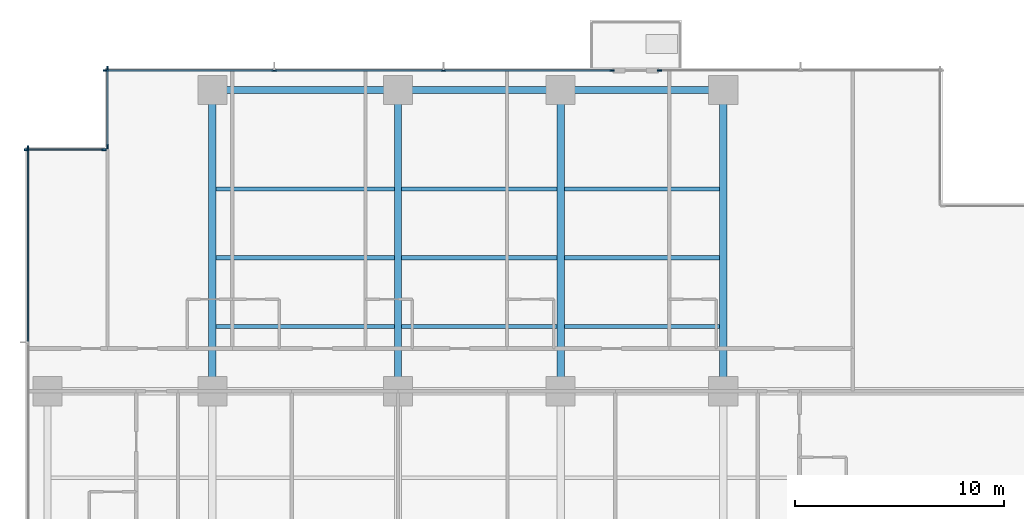
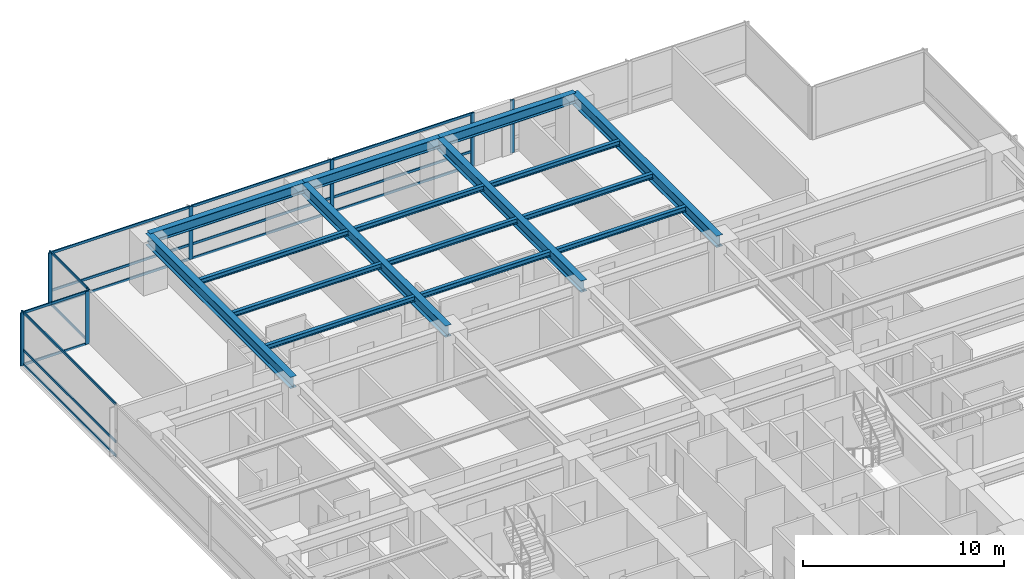
# One storey, part 4 of 17: 26 members, 16 beams, 5 elements without a shape of their own.
"""IFC4 building model written with IfcOpenShell, lengths in metres."""

import ifcopenshell
import ifcopenshell.guid

model = None  # the IFC model being written
_history = None  # IfcOwnerHistory: only IFC2X3 demands one
_inside = {}  # id of a spatial element -> (the spatial element, [elements in it])
_under = {}  # id of a project, library or spatial element -> (it, [spatial elements below it])
_declared = {}  # id of a project -> (the project, [libraries it declares])
_typed = {}  # id of a type object -> (the type object, [elements of that type])
_made_of = {}  # id of a material, layer set ... -> (it, [elements and type objects made of it])


def new_model(schema):
    """Start an empty IFC model of exactly this schema.

    Asked for "IFC4X3", IfcOpenShell would pick the latest addendum, in which some entities
    have other attributes; the version numbers below select the first issue.
    IFC2X3 requires an IfcOwnerHistory on every rooted entity: one is made here for all.
    """
    global model, _history
    if schema == "IFC4X3":
        model = ifcopenshell.file(schema_version=(4, 3, 0, 0))
    else:
        model = ifcopenshell.file(schema=schema)
    _inside.clear()
    _under.clear()
    _declared.clear()
    _typed.clear()
    _made_of.clear()
    _history = None
    if model.schema == "IFC2X3":
        org = make("IfcOrganization", Name="unknown")
        user = make(
            "IfcPersonAndOrganization",
            ThePerson=make("IfcPerson", FamilyName="unknown"),
            TheOrganization=org,
        )
        app = make(
            "IfcApplication",
            ApplicationDeveloper=org,
            Version="unknown",
            ApplicationFullName="unknown",
            ApplicationIdentifier="unknown",
        )
        _history = make(
            "IfcOwnerHistory",
            OwningUser=user,
            OwningApplication=app,
            ChangeAction="ADDED",
            CreationDate=0,
        )
    return model


def make(cls, **values):
    """One entity of the class cls with the attributes given. An attribute that is None is left unset."""
    return model.create_entity(
        cls, **{name: value for name, value in values.items() if value is not None}
    )


def rooted(cls, **values):
    """An entity with a GlobalId (a new one), such as an element, a storey or a relation."""
    return make(cls, GlobalId=ifcopenshell.guid.new(), OwnerHistory=_history, **values)


def si_unit(unit_type, name, prefix=None):
    """IfcSIUnit, for example si_unit("LENGTHUNIT", "METRE", prefix="MILLI")."""
    return make("IfcSIUnit", UnitType=unit_type, Prefix=prefix, Name=name)


def assignment(units):
    """IfcUnitAssignment: the units of a project."""
    return None if units is None else make("IfcUnitAssignment", Units=units)


def point(xyz):
    """IfcCartesianPoint."""
    return None if xyz is None else make("IfcCartesianPoint", Coordinates=xyz)


def direction(xyz):
    """IfcDirection."""
    return None if xyz is None else make("IfcDirection", DirectionRatios=xyz)


def frame(location, z_axis=None, x_axis=None):
    """IfcAxis2Placement3D, a coordinate frame: its origin and axes. An axis left out is left unset."""
    return make(
        "IfcAxis2Placement3D",
        Location=point(location),
        Axis=direction(z_axis),
        RefDirection=direction(x_axis),
    )


def frame_2d(location, x_axis=None):
    """IfcAxis2Placement2D, a coordinate frame in the plane: its origin and x axis."""
    return make(
        "IfcAxis2Placement2D", Location=point(location), RefDirection=direction(x_axis)
    )


def origin():
    """The frame at (0, 0, 0) with its axes left unset."""
    return frame((0.0, 0.0, 0.0))


def origin_2d():
    """The frame at (0, 0) in the plane with its x axis left unset."""
    return frame_2d((0.0, 0.0))


def place(relative_to, where):
    """IfcLocalPlacement: puts the frame where relative to a parent placement (None: the world)."""
    return make(
        "IfcLocalPlacement", PlacementRelTo=relative_to, RelativePlacement=where
    )


def context(
    kind, dimensions, precision=None, world=None, true_north=None, identifier=None
):
    """IfcGeometricRepresentationContext, for example the 3D "Model" context."""
    return make(
        "IfcGeometricRepresentationContext",
        ContextIdentifier=identifier,
        ContextType=kind,
        CoordinateSpaceDimension=dimensions,
        Precision=precision,
        WorldCoordinateSystem=world,
        TrueNorth=true_north,
    )


def subcontext(parent, identifier, kind, view, scale=None):
    """IfcGeometricRepresentationSubContext, for example "Body" below "Model"."""
    return make(
        "IfcGeometricRepresentationSubContext",
        ContextIdentifier=identifier,
        ContextType=kind,
        ParentContext=parent,
        TargetScale=scale,
        TargetView=view,
    )


def project(units=None, contexts=None):
    """IfcProject with its units and contexts."""
    return rooted(
        "IfcProject",
        Name="project",
        RepresentationContexts=contexts,
        UnitsInContext=assignment(units),
    )


def spatial(cls, under=None, at=None, **own):
    """A site, building, storey or space (cls), placed at a placement, below another one or the project."""
    s = rooted(cls, ObjectPlacement=at, **own)
    if under is not None:
        _under.setdefault(under.id(), (under, []))[1].append(s)
    return s


def profile(cls, at=None, kind="AREA", **sizes):
    """A parametric profile (cls). Its sizes go by their IFC names, for example OverallWidth=200.0."""
    return make(cls, ProfileType=kind, Position=at, **sizes)


def rectangle(**sizes):
    """IfcRectangleProfileDef."""
    return profile("IfcRectangleProfileDef", **sizes)


def i_section(**sizes):
    """IfcIShapeProfileDef."""
    return profile("IfcIShapeProfileDef", **sizes)


def extrude(swept, where, along, depth):
    """IfcExtrudedAreaSolid: the profile swept, set in the frame where, extruded along a direction by depth."""
    return make(
        "IfcExtrudedAreaSolid",
        SweptArea=swept,
        Position=where,
        ExtrudedDirection=direction(along),
        Depth=depth,
    )


def shape(context_of_items, identifier, shape_type, items):
    """IfcShapeRepresentation: the items that make up one representation, for example the "Body"."""
    return make(
        "IfcShapeRepresentation",
        ContextOfItems=context_of_items,
        RepresentationIdentifier=identifier,
        RepresentationType=shape_type,
        Items=items,
    )


def material(Name=None, Category=None):
    """IfcMaterial."""
    return make("IfcMaterial", Name=Name, Category=Category)


def layer(
    of_material, thickness, ventilated=None, Name=None, Category=None, Priority=None
):
    """IfcMaterialLayer: one layer of a wall or slab, of a material (None: an air gap)."""
    return make(
        "IfcMaterialLayer",
        Material=of_material,
        LayerThickness=thickness,
        IsVentilated=ventilated,
        Name=Name,
        Category=Category,
        Priority=Priority,
    )


def layer_set(layers, Name=None):
    """IfcMaterialLayerSet."""
    return make("IfcMaterialLayerSet", MaterialLayers=layers, LayerSetName=Name)


def material_profile(
    of_material, cross_section, Name=None, Category=None, Priority=None
):
    """IfcMaterialProfile: a cross section and its material."""
    return make(
        "IfcMaterialProfile",
        Name=Name,
        Material=of_material,
        Profile=cross_section,
        Priority=Priority,
        Category=Category,
    )


def profile_set(profiles, Name=None, composite=None):
    """IfcMaterialProfileSet."""
    return make(
        "IfcMaterialProfileSet",
        Name=Name,
        MaterialProfiles=profiles,
        CompositeProfile=composite,
    )


def made_of(thing, what):
    """Note that an element or type object is made of a material, layer set ...; save() writes the relation."""
    if what is not None:
        _made_of.setdefault(what.id(), (what, []))[1].append(thing)
    return thing


def type_object(cls, material=None, **own):
    """A type object (cls), such as IfcWallType, which elements share."""
    return made_of(rooted(cls, **own), material)


def element(
    cls,
    number,
    at=None,
    inside=None,
    cuts=None,
    type_object=None,
    material=None,
    context=None,
    identifier="Body",
    shape_type=None,
    held_by="IfcProductDefinitionShape",
    body=None,
    shapes=None,
    **own,
):
    """One element of the class cls, such as IfcWall. Its Tag is "e" and its number.

    at: its placement. inside: the storey or other place that contains it. cuts: it is an
    opening in that element (IfcRelVoidsElement). A single representation is given by context,
    identifier, shape_type and body (its items); several are given by shapes. held_by: the class
    of the entity that holds the representations. save() writes the other relations.
    """
    e = rooted(cls, Tag="e%d" % number, ObjectPlacement=at, **own)
    if body is not None:
        shapes = [shape(context, identifier, shape_type, body)]
    if shapes is not None:
        e.Representation = make(held_by, Representations=shapes)
    if inside is not None:
        _inside.setdefault(inside.id(), (inside, []))[1].append(e)
    if cuts is not None:
        rooted(
            "IfcRelVoidsElement", RelatingBuildingElement=cuts, RelatedOpeningElement=e
        )
    if type_object is not None:
        _typed.setdefault(type_object.id(), (type_object, []))[1].append(e)
    return made_of(e, material)


def aggregate(whole, parts):
    """IfcRelAggregates: a whole, such as a stair, and the parts it consists of."""
    return rooted("IfcRelAggregates", RelatingObject=whole, RelatedObjects=parts)


def save(model, path):
    """Write the relations noted so far, then the file.

    IfcRelAggregates (storeys below a building ...), IfcRelContainedInSpatialStructure (elements
    in a storey), IfcRelDefinesByType, IfcRelAssociatesMaterial and IfcRelDeclares: one each for
    every whole, place, type object, material and project.
    """
    for whole, parts in _under.values():
        aggregate(whole, parts)
    for where, things in _inside.values():
        rooted(
            "IfcRelContainedInSpatialStructure",
            RelatedElements=things,
            RelatingStructure=where,
        )
    for kind, things in _typed.values():
        rooted("IfcRelDefinesByType", RelatedObjects=things, RelatingType=kind)
    for what, things in _made_of.values():
        rooted("IfcRelAssociatesMaterial", RelatedObjects=things, RelatingMaterial=what)
    for by, libraries in _declared.values():
        rooted("IfcRelDeclares", RelatingContext=by, RelatedDefinitions=libraries)
    model.write(path)


model = new_model("IFC4")

# Units and contexts
model_context = context("Model", 3, precision=1e-05, world=origin(), true_north=direction((0.0, 1.0)))
body_context = subcontext(model_context, "Body", "Model", "MODEL_VIEW")
ifc_project = project(units=[si_unit("LENGTHUNIT", "METRE"), si_unit("AREAUNIT", "SQUARE_METRE"), si_unit("VOLUMEUNIT", "CUBIC_METRE"), si_unit("PLANEANGLEUNIT", "RADIAN"), si_unit("MASSUNIT", "GRAM", prefix="KILO")], contexts=[model_context])

# Site, building, storey
site_placement = place(None, origin())
site = spatial("IfcSite", under=ifc_project, at=site_placement, CompositionType="ELEMENT")
building_placement = place(site_placement, origin())
building = spatial("IfcBuilding", under=site, at=building_placement, Name="Qalmaran Belvedere Hotel", CompositionType="ELEMENT")
storey_placement = place(building_placement, frame((0.0, 0.0, 40.39990234375)))
storey = spatial("IfcBuildingStorey", under=building, at=storey_placement, Name="L09", CompositionType="ELEMENT", Elevation=40.39990234375)

# Beams
ifc_material_1 = material(Name="Steel S355JR", Category="steel")
ifc_material_profile_1 = material_profile(ifc_material_1, i_section(OverallWidth=0.202880859375, OverallDepth=0.302978515625, WebThickness=0.007568359375, FlangeThickness=0.01318359375, FilletRadius=0.012939453125, at=origin_2d()), Name="W310X60")
ifc_profile_set_1 = profile_set([ifc_material_profile_1], Name="Steel S355JR")
beam_type_1 = type_object("IfcBeamType", Name="BM-JST-W310X60", PredefinedType="JOIST", material=ifc_profile_set_1)
beam_1_placement = place(storey_placement, frame((20.4755859375, 36.10009765625, 3.068603515625), z_axis=(1.0, 0.0, 0.0), x_axis=(0.0, 1.0, 0.0)))
element("IfcBeam", 1, at=beam_1_placement, inside=storey, type_object=beam_type_1, Name="L09 North Floor Joist 042", PredefinedType="JOIST", context=body_context, shape_type="SweptSolid", body=[
    extrude(i_section(OverallWidth=0.202880859375, OverallDepth=0.302978515625, WebThickness=0.007568359375, FlangeThickness=0.01318359375, FilletRadius=0.012939453125, at=origin_2d()), origin(), (0.0, 0.0, 1.0), 8.548828125),
])
for number, where, z_axis, x_axis, name in (
    (2, (29.37548828125, 36.10009765625, 3.068603515625), (1.0, 0.0, 0.0), (0.0, 1.0, 0.0), "L09 North Floor Joist 043"),
    (3, (37.175537109375, 36.10009765625, 3.068603515625), (1.0, 0.0, 0.0), (0.0, 1.0, 0.0), "L09 North Floor Joist 044"),
):
    element("IfcBeam", number, at=place(storey_placement, frame(where, z_axis=z_axis, x_axis=x_axis)), inside=storey, type_object=beam_type_1, Name=name, PredefinedType="JOIST", context=body_context, shape_type="SweptSolid", body=[
        extrude(i_section(OverallWidth=0.202880859375, OverallDepth=0.302978515625, WebThickness=0.007568359375, FlangeThickness=0.01318359375, FilletRadius=0.012939453125, at=origin_2d()), origin(), (0.0, 0.0, 1.0), 7.448974609375),
    ])
beam_2_placement = place(storey_placement, frame((20.4755859375, 39.39990234375, 3.068603515625), z_axis=(1.0, 0.0, 0.0), x_axis=(0.0, 1.0, 0.0)))
element("IfcBeam", 4, at=beam_2_placement, inside=storey, type_object=beam_type_1, Name="L09 North Floor Joist 045", PredefinedType="JOIST", context=body_context, shape_type="SweptSolid", body=[
    extrude(i_section(OverallWidth=0.202880859375, OverallDepth=0.302978515625, WebThickness=0.007568359375, FlangeThickness=0.01318359375, FilletRadius=0.012939453125, at=origin_2d()), origin(), (0.0, 0.0, 1.0), 8.548828125),
])
for number, where, z_axis, x_axis, name in (
    (5, (29.37548828125, 39.39990234375, 3.068603515625), (1.0, 0.0, 0.0), (0.0, 1.0, 0.0), "L09 North Floor Joist 046"),
    (6, (37.175537109375, 39.39990234375, 3.068603515625), (1.0, 0.0, 0.0), (0.0, 1.0, 0.0), "L09 North Floor Joist 047"),
):
    element("IfcBeam", number, at=place(storey_placement, frame(where, z_axis=z_axis, x_axis=x_axis)), inside=storey, type_object=beam_type_1, Name=name, PredefinedType="JOIST", context=body_context, shape_type="SweptSolid", body=[
        extrude(i_section(OverallWidth=0.202880859375, OverallDepth=0.302978515625, WebThickness=0.007568359375, FlangeThickness=0.01318359375, FilletRadius=0.012939453125, at=origin_2d()), origin(), (0.0, 0.0, 1.0), 7.448974609375),
    ])
beam_3_placement = place(storey_placement, frame((20.4755859375, 42.699951171875, 3.068603515625), z_axis=(1.0, 0.0, 0.0), x_axis=(0.0, 1.0, 0.0)))
element("IfcBeam", 7, at=beam_3_placement, inside=storey, type_object=beam_type_1, Name="L09 North Floor Joist 048", PredefinedType="JOIST", context=body_context, shape_type="SweptSolid", body=[
    extrude(i_section(OverallWidth=0.202880859375, OverallDepth=0.302978515625, WebThickness=0.007568359375, FlangeThickness=0.01318359375, FilletRadius=0.012939453125, at=origin_2d()), origin(), (0.0, 0.0, 1.0), 8.548828125),
])
for number, where, z_axis, x_axis, name in (
    (8, (29.37548828125, 42.699951171875, 3.068603515625), (1.0, 0.0, 0.0), (0.0, 1.0, 0.0), "L09 North Floor Joist 049"),
    (9, (37.175537109375, 42.699951171875, 3.068603515625), (1.0, 0.0, 0.0), (0.0, 1.0, 0.0), "L09 North Floor Joist 050"),
):
    element("IfcBeam", number, at=place(storey_placement, frame(where, z_axis=z_axis, x_axis=x_axis)), inside=storey, type_object=beam_type_1, Name=name, PredefinedType="JOIST", context=body_context, shape_type="SweptSolid", body=[
        extrude(i_section(OverallWidth=0.202880859375, OverallDepth=0.302978515625, WebThickness=0.007568359375, FlangeThickness=0.01318359375, FilletRadius=0.012939453125, at=origin_2d()), origin(), (0.0, 0.0, 1.0), 7.448974609375),
    ])
ifc_material_profile_2 = material_profile(ifc_material_1, i_section(OverallWidth=0.326904296875, OverallDepth=0.6220703125, WebThickness=0.015380859375, FlangeThickness=0.0244140625, FilletRadius=0.02001953125, at=origin_2d()), Name="W610X195")
ifc_profile_set_2 = profile_set([ifc_material_profile_2], Name="Steel S355JR")
beam_type_2 = type_object("IfcBeamType", Name="BM-SP1-W610X195", PredefinedType="SPANDREL", material=ifc_profile_set_2)
beam_4_placement = place(storey_placement, frame((20.300048828125, 47.449951171875, 2.9091796875), z_axis=(1.0, 0.0, 0.0), x_axis=(0.0, 1.0, 0.0)))
element("IfcBeam", 10, at=beam_4_placement, inside=storey, type_object=beam_type_2, Name="L09 Perimeter Spandrel 05", PredefinedType="SPANDREL", context=body_context, shape_type="SweptSolid", body=[
    extrude(i_section(OverallWidth=0.326904296875, OverallDepth=0.6220703125, WebThickness=0.015380859375, FlangeThickness=0.0244140625, FilletRadius=0.02001953125, at=origin_2d()), origin(), (0.0, 0.0, 1.0), 8.89990234375),
])
for number, where, z_axis, x_axis, name in (
    (11, (29.199951171875, 47.449951171875, 2.9091796875), (1.0, 0.0, 0.0), (0.0, 1.0, 0.0), "L09 Perimeter Spandrel 06"),
    (12, (37.0, 47.449951171875, 2.9091796875), (1.0, 0.0, 0.0), (0.0, 1.0, 0.0), "L09 Perimeter Spandrel 07"),
):
    element("IfcBeam", number, at=place(storey_placement, frame(where, z_axis=z_axis, x_axis=x_axis)), inside=storey, type_object=beam_type_2, Name=name, PredefinedType="SPANDREL", context=body_context, shape_type="SweptSolid", body=[
        extrude(i_section(OverallWidth=0.326904296875, OverallDepth=0.6220703125, WebThickness=0.015380859375, FlangeThickness=0.0244140625, FilletRadius=0.02001953125, at=origin_2d()), origin(), (0.0, 0.0, 1.0), 7.800048828125),
    ])
ifc_material_profile_3 = material_profile(ifc_material_1, i_section(OverallWidth=0.35498046875, OverallDepth=0.695068359375, WebThickness=0.015380859375, FlangeThickness=0.02490234375, FilletRadius=0.02197265625, at=origin_2d()), Name="W690X217")
ifc_profile_set_3 = profile_set([ifc_material_profile_3], Name="Steel S355JR")
beam_type_3 = type_object("IfcBeamType", Name="BM-Z1-W690X217", PredefinedType="USERDEFINED", material=ifc_profile_set_3)
for number, where, z_axis, x_axis, name in (
    (13, (20.300048828125, 33.0, 2.87255859375), (0.0, 1.0, 0.0), (-1.0, 0.0, 0.0), "L09 North Bay Girder 15"),
    (14, (29.199951171875, 33.0, 2.87255859375), (0.0, 1.0, 0.0), (-1.0, 0.0, 0.0), "L09 North Bay Girder 17"),
    (15, (37.0, 33.0, 2.87255859375), (0.0, 1.0, 0.0), (-1.0, 0.0, 0.0), "L09 North Bay Girder 19"),
    (16, (44.800048828125, 33.0, 2.87255859375), (0.0, 1.0, 0.0), (-1.0, 0.0, 0.0), "L09 North Bay Girder 21"),
):
    element("IfcBeam", number, at=place(storey_placement, frame(where, z_axis=z_axis, x_axis=x_axis)), inside=storey, type_object=beam_type_3, Name=name, ObjectType="GIRDER", PredefinedType="USERDEFINED", context=body_context, shape_type="SweptSolid", body=[
        extrude(i_section(OverallWidth=0.35498046875, OverallDepth=0.695068359375, WebThickness=0.015380859375, FlangeThickness=0.02490234375, FilletRadius=0.02197265625, at=origin_2d()), origin(), (0.0, 0.0, 1.0), 14.449951171875),
    ])

# Curtain wall, members
ifc_material_2 = material(Name="Anodised Bronze Aluminium", Category="aluminium")
ifc_layer = layer(ifc_material_2, 0.2099609375, Name="Anodised Bronze Aluminium")
ifc_layer_set = layer_set([ifc_layer], Name="Anodised Bronze Aluminium")
curtain_wall_type = type_object("IfcCurtainWallType", Name="CW2-TOWER-LOWER", PredefinedType="NOTDEFINED", material=ifc_layer_set)
curtain_wall_1_placement = place(storey_placement, origin())
curtain_wall_1 = element("IfcCurtainWall", 17, at=curtain_wall_1_placement, inside=storey, type_object=curtain_wall_type, Name="L09 Curtain Wall CW2", PredefinedType="NOTDEFINED")
ifc_material_profile_4 = material_profile(ifc_material_2, rectangle(XDim=0.074951171875, YDim=0.219970703125, at=origin_2d()), Name="CWM75X220")
ifc_profile_set_4 = profile_set([ifc_material_profile_4], Name="Anodised Bronze Aluminium")
member_type_1 = type_object("IfcMemberType", Name="CWM-75X220", PredefinedType="MULLION", material=ifc_profile_set_4)
member_1_placement = place(storey_placement, frame((39.46240234375, 48.3798828125, 0.0), z_axis=(0.0, 0.0, 1.0), x_axis=(0.0, -1.0, 0.0)))
member_1 = element("IfcMember", 18, at=member_1_placement, type_object=member_type_1, Name="CW2 mullion 1", PredefinedType="MULLION", context=body_context, shape_type="SweptSolid", body=[
    extrude(rectangle(XDim=0.074951171875, YDim=0.219970703125, at=origin_2d()), origin(), (0.0, 0.0, 1.0), 3.22021484375),
])
member_2_placement = place(storey_placement, frame((31.38330078125, 48.3798828125, 0.0), z_axis=(0.0, 0.0, 1.0), x_axis=(0.0, -1.0, 0.0)))
member_2 = element("IfcMember", 19, at=member_2_placement, type_object=member_type_1, Name="CW2 mullion 2", PredefinedType="MULLION", context=body_context, shape_type="SweptSolid", body=[
    extrude(rectangle(XDim=0.074951171875, YDim=0.219970703125, at=origin_2d()), origin(), (0.0, 0.0, 1.0), 3.22021484375),
])
member_3_placement = place(storey_placement, frame((23.2666015625, 48.3798828125, 0.0), z_axis=(0.0, 0.0, 1.0), x_axis=(0.0, -1.0, 0.0)))
member_3 = element("IfcMember", 20, at=member_3_placement, type_object=member_type_1, Name="CW2 mullion 3", PredefinedType="MULLION", context=body_context, shape_type="SweptSolid", body=[
    extrude(rectangle(XDim=0.074951171875, YDim=0.219970703125, at=origin_2d()), origin(), (0.0, 0.0, 1.0), 3.22021484375),
])
member_4_placement = place(storey_placement, frame((15.1875, 48.3798828125, 0.0), z_axis=(0.0, 0.0, 1.0), x_axis=(0.0, -1.0, 0.0)))
member_4 = element("IfcMember", 21, at=member_4_placement, type_object=member_type_1, Name="CW2 mullion 4", PredefinedType="MULLION", context=body_context, shape_type="SweptSolid", body=[
    extrude(rectangle(XDim=0.074951171875, YDim=0.219970703125, at=origin_2d()), origin(), (0.0, 0.0, 1.0), 3.22021484375),
])

# Curtain wall, member
curtain_wall_2_placement = place(storey_placement, origin())
curtain_wall_2 = element("IfcCurtainWall", 22, at=curtain_wall_2_placement, inside=storey, type_object=curtain_wall_type, Name="L09 Curtain Wall CW2", PredefinedType="NOTDEFINED")
member_5_placement = place(storey_placement, frame((41.737548828125, 48.3798828125, 0.0), z_axis=(0.0, 0.0, 1.0), x_axis=(0.0, -1.0, 0.0)))
member_5 = element("IfcMember", 23, at=member_5_placement, type_object=member_type_1, Name="CW2 mullion 3", PredefinedType="MULLION", context=body_context, shape_type="SweptSolid", body=[
    extrude(rectangle(XDim=0.074951171875, YDim=0.219970703125, at=origin_2d()), origin(), (0.0, 0.0, 1.0), 3.22021484375),
])
aggregate(curtain_wall_2, [member_5])

# Curtain wall, members
curtain_wall_3_placement = place(storey_placement, origin())
curtain_wall_3 = element("IfcCurtainWall", 24, at=curtain_wall_3_placement, inside=storey, type_object=curtain_wall_type, Name="L09 Curtain Wall CW2", PredefinedType="NOTDEFINED")
member_6_placement = place(storey_placement, frame((15.27001953125, 48.46240234375, 0.0), z_axis=(0.0, 0.0, 1.0), x_axis=(1.0, 0.0, 0.0)))
member_6 = element("IfcMember", 25, at=member_6_placement, type_object=member_type_1, Name="CW2 mullion 1", PredefinedType="MULLION", context=body_context, shape_type="SweptSolid", body=[
    extrude(rectangle(XDim=0.074951171875, YDim=0.219970703125, at=origin_2d()), origin(), (0.0, 0.0, 1.0), 3.22021484375),
])
member_7_placement = place(storey_placement, frame((15.27001953125, 44.737548828125, 0.0), z_axis=(0.0, 0.0, 1.0), x_axis=(1.0, 0.0, 0.0)))
member_7 = element("IfcMember", 26, at=member_7_placement, type_object=member_type_1, Name="CW2 mullion 2", PredefinedType="MULLION", context=body_context, shape_type="SweptSolid", body=[
    extrude(rectangle(XDim=0.074951171875, YDim=0.219970703125, at=origin_2d()), origin(), (0.0, 0.0, 1.0), 3.22021484375),
])

curtain_wall_4_placement = place(storey_placement, origin())
curtain_wall_4 = element("IfcCurtainWall", 27, at=curtain_wall_4_placement, inside=storey, type_object=curtain_wall_type, Name="L09 Curtain Wall CW2", PredefinedType="NOTDEFINED")
member_8_placement = place(storey_placement, frame((15.112548828125, 44.580078125, 0.0), z_axis=(0.0, 0.0, 1.0), x_axis=(0.0, -1.0, 0.0)))
member_8 = element("IfcMember", 28, at=member_8_placement, type_object=member_type_1, Name="CW2 mullion 1", PredefinedType="MULLION", context=body_context, shape_type="SweptSolid", body=[
    extrude(rectangle(XDim=0.074951171875, YDim=0.219970703125, at=origin_2d()), origin(), (0.0, 0.0, 1.0), 3.22021484375),
])
member_9_placement = place(storey_placement, frame((11.387451171875, 44.580078125, 0.0), z_axis=(0.0, 0.0, 1.0), x_axis=(0.0, -1.0, 0.0)))
member_9 = element("IfcMember", 29, at=member_9_placement, type_object=member_type_1, Name="CW2 mullion 2", PredefinedType="MULLION", context=body_context, shape_type="SweptSolid", body=[
    extrude(rectangle(XDim=0.074951171875, YDim=0.219970703125, at=origin_2d()), origin(), (0.0, 0.0, 1.0), 3.22021484375),
])

# Curtain wall, member
curtain_wall_5_placement = place(storey_placement, origin())
curtain_wall_5 = element("IfcCurtainWall", 30, at=curtain_wall_5_placement, inside=storey, type_object=curtain_wall_type, Name="L09 Curtain Wall CW2", PredefinedType="NOTDEFINED")
member_10_placement = place(storey_placement, frame((11.469970703125, 44.66259765625, 0.0), z_axis=(0.0, 0.0, 1.0), x_axis=(1.0, 0.0, 0.0)))
member_10 = element("IfcMember", 31, at=member_10_placement, type_object=member_type_1, Name="CW2 mullion 1", PredefinedType="MULLION", context=body_context, shape_type="SweptSolid", body=[
    extrude(rectangle(XDim=0.074951171875, YDim=0.219970703125, at=origin_2d()), origin(), (0.0, 0.0, 1.0), 3.22021484375),
])

# Member
ifc_material_profile_5 = material_profile(ifc_material_2, rectangle(XDim=0.070068359375, YDim=0.14990234375, at=origin_2d()), Name="CWT70X150")
ifc_profile_set_5 = profile_set([ifc_material_profile_5], Name="Anodised Bronze Aluminium")
member_type_2 = type_object("IfcMemberType", Name="CWT-70X150", PredefinedType="USERDEFINED", material=ifc_profile_set_5)
member_11_placement = place(storey_placement, frame((39.425048828125, 48.3798828125, 0.03515625), z_axis=(-1.0, 0.0, 0.0), x_axis=(0.0, -1.0, 0.0)))
member_11 = element("IfcMember", 32, at=member_11_placement, type_object=member_type_2, Name="CW2 transom 1.1", ObjectType="TRANSOM", PredefinedType="USERDEFINED", context=body_context, shape_type="SweptSolid", body=[
    extrude(rectangle(XDim=0.070068359375, YDim=0.14990234375, at=origin_2d()), origin(), (0.0, 0.0, 1.0), 8.004150390625),
])

member_12_placement = place(storey_placement, frame((39.425048828125, 48.3798828125, 0.901611328125), z_axis=(-1.0, 0.0, 0.0), x_axis=(0.0, -1.0, 0.0)))
member_12 = element("IfcMember", 33, at=member_12_placement, type_object=member_type_2, Name="CW2 transom 1.2", ObjectType="TRANSOM", PredefinedType="USERDEFINED", context=body_context, shape_type="SweptSolid", body=[
    extrude(rectangle(XDim=0.070068359375, YDim=0.14990234375, at=origin_2d()), origin(), (0.0, 0.0, 1.0), 8.004150390625),
])

member_13_placement = place(storey_placement, frame((39.425048828125, 48.3798828125, 3.18505859375), z_axis=(-1.0, 0.0, 0.0), x_axis=(0.0, -1.0, 0.0)))
member_13 = element("IfcMember", 34, at=member_13_placement, type_object=member_type_2, Name="CW2 transom 1.3", ObjectType="TRANSOM", PredefinedType="USERDEFINED", context=body_context, shape_type="SweptSolid", body=[
    extrude(rectangle(XDim=0.070068359375, YDim=0.14990234375, at=origin_2d()), origin(), (0.0, 0.0, 1.0), 8.004150390625),
])

member_14_placement = place(storey_placement, frame((31.345947265625, 48.3798828125, 0.03515625), z_axis=(-1.0, 0.0, 0.0), x_axis=(0.0, -1.0, 0.0)))
member_14 = element("IfcMember", 35, at=member_14_placement, type_object=member_type_2, Name="CW2 transom 2.1", ObjectType="TRANSOM", PredefinedType="USERDEFINED", context=body_context, shape_type="SweptSolid", body=[
    extrude(rectangle(XDim=0.070068359375, YDim=0.14990234375, at=origin_2d()), origin(), (0.0, 0.0, 1.0), 8.041748046875),
])

member_15_placement = place(storey_placement, frame((31.345947265625, 48.3798828125, 0.901611328125), z_axis=(-1.0, 0.0, 0.0), x_axis=(0.0, -1.0, 0.0)))
member_15 = element("IfcMember", 36, at=member_15_placement, type_object=member_type_2, Name="CW2 transom 2.2", ObjectType="TRANSOM", PredefinedType="USERDEFINED", context=body_context, shape_type="SweptSolid", body=[
    extrude(rectangle(XDim=0.070068359375, YDim=0.14990234375, at=origin_2d()), origin(), (0.0, 0.0, 1.0), 8.041748046875),
])

member_16_placement = place(storey_placement, frame((31.345947265625, 48.3798828125, 3.18505859375), z_axis=(-1.0, 0.0, 0.0), x_axis=(0.0, -1.0, 0.0)))
member_16 = element("IfcMember", 37, at=member_16_placement, type_object=member_type_2, Name="CW2 transom 2.3", ObjectType="TRANSOM", PredefinedType="USERDEFINED", context=body_context, shape_type="SweptSolid", body=[
    extrude(rectangle(XDim=0.070068359375, YDim=0.14990234375, at=origin_2d()), origin(), (0.0, 0.0, 1.0), 8.041748046875),
])

member_17_placement = place(storey_placement, frame((23.229248046875, 48.3798828125, 0.03515625), z_axis=(-1.0, 0.0, 0.0), x_axis=(0.0, -1.0, 0.0)))
member_17 = element("IfcMember", 38, at=member_17_placement, type_object=member_type_2, Name="CW2 transom 3.1", ObjectType="TRANSOM", PredefinedType="USERDEFINED", context=body_context, shape_type="SweptSolid", body=[
    extrude(rectangle(XDim=0.070068359375, YDim=0.14990234375, at=origin_2d()), origin(), (0.0, 0.0, 1.0), 8.004150390625),
])

member_18_placement = place(storey_placement, frame((23.229248046875, 48.3798828125, 0.901611328125), z_axis=(-1.0, 0.0, 0.0), x_axis=(0.0, -1.0, 0.0)))
member_18 = element("IfcMember", 39, at=member_18_placement, type_object=member_type_2, Name="CW2 transom 3.2", ObjectType="TRANSOM", PredefinedType="USERDEFINED", context=body_context, shape_type="SweptSolid", body=[
    extrude(rectangle(XDim=0.070068359375, YDim=0.14990234375, at=origin_2d()), origin(), (0.0, 0.0, 1.0), 8.004150390625),
])

member_19_placement = place(storey_placement, frame((23.229248046875, 48.3798828125, 3.18505859375), z_axis=(-1.0, 0.0, 0.0), x_axis=(0.0, -1.0, 0.0)))
member_19 = element("IfcMember", 40, at=member_19_placement, type_object=member_type_2, Name="CW2 transom 3.3", ObjectType="TRANSOM", PredefinedType="USERDEFINED", context=body_context, shape_type="SweptSolid", body=[
    extrude(rectangle(XDim=0.070068359375, YDim=0.14990234375, at=origin_2d()), origin(), (0.0, 0.0, 1.0), 8.004150390625),
])

aggregate(curtain_wall_1, [member_1, member_2, member_3, member_4, member_11, member_12, member_13, member_14, member_15, member_16, member_17, member_18, member_19])

member_20_placement = place(storey_placement, frame((15.27001953125, 48.425048828125, 0.03515625), z_axis=(0.0, -1.0, 0.0), x_axis=(1.0, 0.0, 0.0)))
member_20 = element("IfcMember", 41, at=member_20_placement, type_object=member_type_2, Name="CW2 transom 1.1", ObjectType="TRANSOM", PredefinedType="USERDEFINED", context=body_context, shape_type="SweptSolid", body=[
    extrude(rectangle(XDim=0.070068359375, YDim=0.14990234375, at=origin_2d()), origin(), (0.0, 0.0, 1.0), 3.650146484375),
])

member_21_placement = place(storey_placement, frame((15.27001953125, 48.425048828125, 3.18505859375), z_axis=(0.0, -1.0, 0.0), x_axis=(1.0, 0.0, 0.0)))
member_21 = element("IfcMember", 42, at=member_21_placement, type_object=member_type_2, Name="CW2 transom 1.2", ObjectType="TRANSOM", PredefinedType="USERDEFINED", context=body_context, shape_type="SweptSolid", body=[
    extrude(rectangle(XDim=0.070068359375, YDim=0.14990234375, at=origin_2d()), origin(), (0.0, 0.0, 1.0), 3.650146484375),
])

aggregate(curtain_wall_3, [member_6, member_7, member_20, member_21])

member_22_placement = place(storey_placement, frame((15.074951171875, 44.580078125, 0.03515625), z_axis=(-1.0, 0.0, 0.0), x_axis=(0.0, -1.0, 0.0)))
member_22 = element("IfcMember", 43, at=member_22_placement, type_object=member_type_2, Name="CW2 transom 1.1", ObjectType="TRANSOM", PredefinedType="USERDEFINED", context=body_context, shape_type="SweptSolid", body=[
    extrude(rectangle(XDim=0.070068359375, YDim=0.14990234375, at=origin_2d()), origin(), (0.0, 0.0, 1.0), 3.64990234375),
])

member_23_placement = place(storey_placement, frame((15.074951171875, 44.580078125, 3.18505859375), z_axis=(-1.0, 0.0, 0.0), x_axis=(0.0, -1.0, 0.0)))
member_23 = element("IfcMember", 44, at=member_23_placement, type_object=member_type_2, Name="CW2 transom 1.2", ObjectType="TRANSOM", PredefinedType="USERDEFINED", context=body_context, shape_type="SweptSolid", body=[
    extrude(rectangle(XDim=0.070068359375, YDim=0.14990234375, at=origin_2d()), origin(), (0.0, 0.0, 1.0), 3.64990234375),
])

aggregate(curtain_wall_4, [member_8, member_9, member_22, member_23])

member_24_placement = place(storey_placement, frame((11.469970703125, 44.625, 0.03515625), z_axis=(0.0, -1.0, 0.0), x_axis=(1.0, 0.0, 0.0)))
member_24 = element("IfcMember", 45, at=member_24_placement, type_object=member_type_2, Name="CW2 transom 1.1", ObjectType="TRANSOM", PredefinedType="USERDEFINED", context=body_context, shape_type="SweptSolid", body=[
    extrude(rectangle(XDim=0.070068359375, YDim=0.14990234375, at=origin_2d()), origin(), (0.0, 0.0, 1.0), 9.237548828125),
])

member_25_placement = place(storey_placement, frame((11.469970703125, 44.625, 0.901611328125), z_axis=(0.0, -1.0, 0.0), x_axis=(1.0, 0.0, 0.0)))
member_25 = element("IfcMember", 46, at=member_25_placement, type_object=member_type_2, Name="CW2 transom 1.2", ObjectType="TRANSOM", PredefinedType="USERDEFINED", context=body_context, shape_type="SweptSolid", body=[
    extrude(rectangle(XDim=0.070068359375, YDim=0.14990234375, at=origin_2d()), origin(), (0.0, 0.0, 1.0), 9.237548828125),
])

member_26_placement = place(storey_placement, frame((11.469970703125, 44.625, 3.18505859375), z_axis=(0.0, -1.0, 0.0), x_axis=(1.0, 0.0, 0.0)))
member_26 = element("IfcMember", 47, at=member_26_placement, type_object=member_type_2, Name="CW2 transom 1.3", ObjectType="TRANSOM", PredefinedType="USERDEFINED", context=body_context, shape_type="SweptSolid", body=[
    extrude(rectangle(XDim=0.070068359375, YDim=0.14990234375, at=origin_2d()), origin(), (0.0, 0.0, 1.0), 9.237548828125),
])

aggregate(curtain_wall_5, [member_10, member_24, member_25, member_26])

save(model, "model.ifc")
